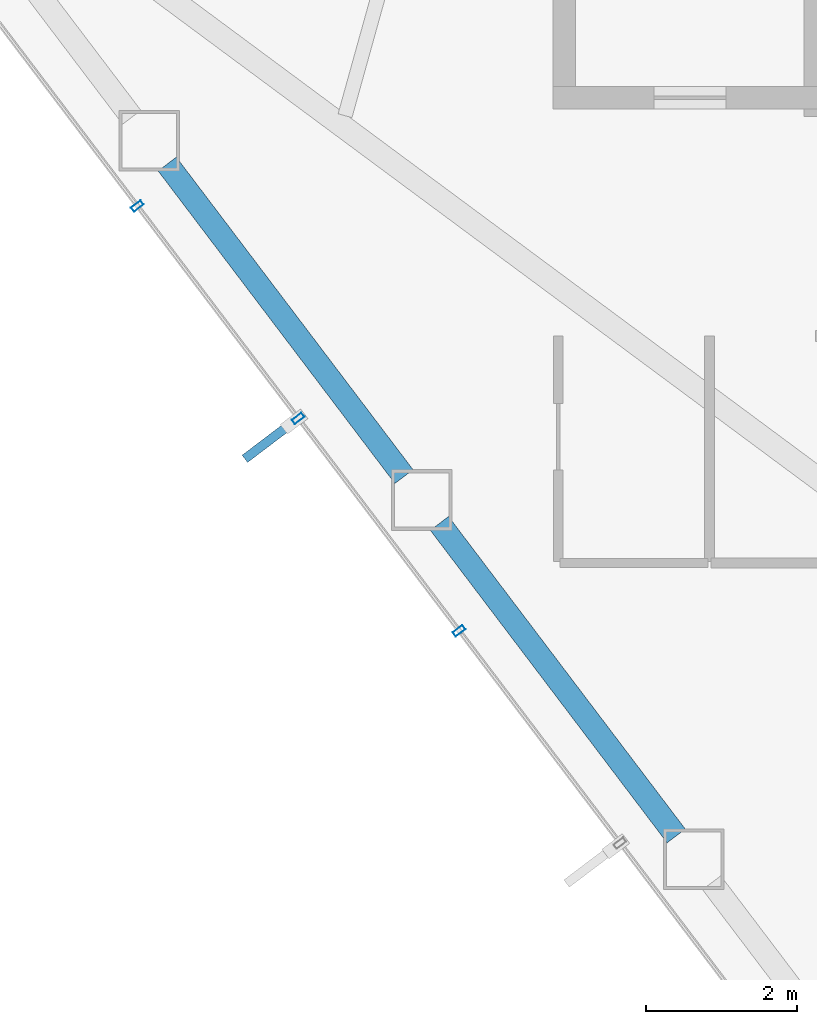
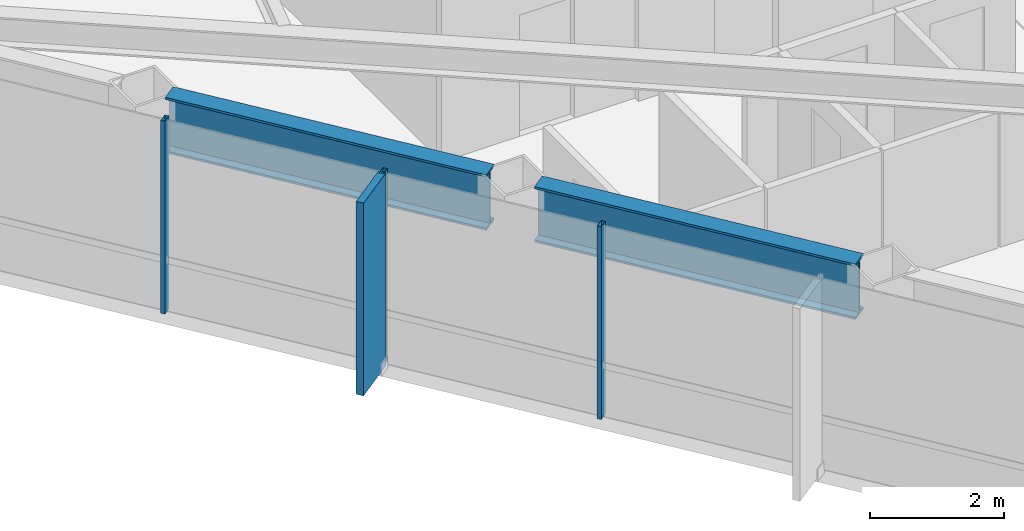
# One storey, part 4 of 28: 4 members, 2 beams, 1 element without a shape of its own.
"""IFC4 building model written with IfcOpenShell, lengths in metres."""

from ifc_helpers import new_model, si_unit, direction, frame, origin, origin_2d, place, context, subcontext, project, spatial, rectangle, hollow_rectangle, i_section, extrude, material, layer, layer_set, material_profile, profile_set, type_object, element, aggregate, save


model = new_model("IFC4")

# Units and contexts
model_context = context("Model", 3, precision=1e-05, world=origin(), true_north=direction((0.0, 1.0)))
body_context = subcontext(model_context, "Body", "Model", "MODEL_VIEW")
ifc_project = project(units=[si_unit("LENGTHUNIT", "METRE"), si_unit("AREAUNIT", "SQUARE_METRE"), si_unit("VOLUMEUNIT", "CUBIC_METRE"), si_unit("PLANEANGLEUNIT", "RADIAN"), si_unit("MASSUNIT", "GRAM", prefix="KILO")], contexts=[model_context])

# Site, building, storey
site_placement = place(None, origin())
site = spatial("IfcSite", under=ifc_project, at=site_placement, CompositionType="ELEMENT")
building_placement = place(site_placement, origin())
building = spatial("IfcBuilding", under=site, at=building_placement, Name="Zarrinselat Tower", CompositionType="ELEMENT")
storey_placement = place(building_placement, frame((0.0, 0.0, 149.60009765625)))
storey = spatial("IfcBuildingStorey", under=building, at=storey_placement, Name="L36", CompositionType="ELEMENT", Elevation=149.60009765625)

# Beams
ifc_material_1 = material(Name="Steel S460M", Category="steel")
ifc_material_profile_1 = material_profile(ifc_material_1, i_section(OverallWidth=0.302001953125, OverallDepth=1.008056640625, WebThickness=0.02099609375, FlangeThickness=0.0400390625, at=origin_2d()), Name="HEM 1000")
ifc_profile_set_1 = profile_set([ifc_material_profile_1], Name="Steel S460M")
beam_type = type_object("IfcBeamType", Name="BM-HEM1000", PredefinedType="BEAM", material=ifc_profile_set_1)
beam_1_placement = place(storey_placement, frame((19.98046875, 32.423583984375, 2.995849609375), z_axis=(0.60385134038, -0.797096956914, 0.0), x_axis=(0.797096956914, 0.60385134038, 0.0)))
element("IfcBeam", 1, at=beam_1_placement, inside=storey, type_object=beam_type, Name="L36 Perimeter Spandrel Girder SP07", PredefinedType="BEAM", context=body_context, shape_type="SweptSolid", body=[
    extrude(i_section(OverallWidth=0.302001953125, OverallDepth=1.008056640625, WebThickness=0.02099609375, FlangeThickness=0.0400390625, at=origin_2d()), origin(), (0.0, 0.0, 1.0), 5.18359375),
])
beam_2_placement = place(storey_placement, frame((23.5791015625, 27.673095703125, 2.995849609375), z_axis=(0.603881263847, -0.797074287112, 0.0), x_axis=(0.797074287112, 0.603881263847, 0.0)))
element("IfcBeam", 2, at=beam_2_placement, inside=storey, type_object=beam_type, Name="L36 Perimeter Spandrel Girder SP08", PredefinedType="BEAM", context=body_context, shape_type="SweptSolid", body=[
    extrude(i_section(OverallWidth=0.302001953125, OverallDepth=1.008056640625, WebThickness=0.02099609375, FlangeThickness=0.0400390625, at=origin_2d()), origin(), (0.0, 0.0, 1.0), 5.183837890625),
])

# Curtain wall, members
ifc_material_2 = material(Name="Extruded Aluminium Alloy EN AW-6063 T6", Category="aluminium")
ifc_layer = layer(ifc_material_2, 0.175048828125)
ifc_layer_set = layer_set([ifc_layer], Name="Extruded Aluminium Alloy EN AW-6063 T6")
curtain_wall_type = type_object("IfcCurtainWallType", Name="CWS-HTL", PredefinedType="NOTDEFINED", material=ifc_layer_set)
curtain_wall_placement = place(storey_placement, origin())
curtain_wall = element("IfcCurtainWall", 3, at=curtain_wall_placement, inside=storey, type_object=curtain_wall_type, Name="L36 Unitised Curtain Wall CW-L36-E03", PredefinedType="NOTDEFINED")
ifc_material_3 = material(Name="Extruded Aluminium Alloy EN AW-6063 T6", Category="aluminium")
ifc_material_profile_2 = material_profile(ifc_material_3, hollow_rectangle(XDim=0.070068359375, YDim=0.159912109375, WallThickness=0.00390625, at=origin_2d()), Name="RHS 160x70x4")
ifc_profile_set_2 = profile_set([ifc_material_profile_2], Name="Extruded Aluminium Alloy EN AW-6063 T6")
member_type_1 = type_object("IfcMemberType", Name="MEM-CW-MUL2", PredefinedType="MULLION", material=ifc_profile_set_2)
member_1_placement = place(storey_placement, frame((19.58544921875, 31.868408203125, 0.0), z_axis=(0.0, 0.0, 1.0), x_axis=(0.603856985167, -0.7970926806, 0.0)))
member_1 = element("IfcMember", 4, at=member_1_placement, type_object=member_type_1, Name="CW-L36-E03 Mullion 2", PredefinedType="MULLION", context=body_context, shape_type="SweptSolid", body=[
    extrude(hollow_rectangle(XDim=0.070068359375, YDim=0.159912109375, WallThickness=0.00390625, at=origin_2d()), origin(), (0.0, 0.0, 1.0), 3.5),
])
member_2_placement = place(storey_placement, frame((21.712158203125, 29.06103515625, 0.0), z_axis=(0.0, 0.0, 1.0), x_axis=(0.603856985167, -0.7970926806, 0.0)))
member_2 = element("IfcMember", 5, at=member_2_placement, type_object=member_type_1, Name="CW-L36-E03 Mullion 3", PredefinedType="MULLION", context=body_context, shape_type="SweptSolid", body=[
    extrude(hollow_rectangle(XDim=0.070068359375, YDim=0.159912109375, WallThickness=0.00390625, at=origin_2d()), origin(), (0.0, 0.0, 1.0), 3.5),
])
member_3_placement = place(storey_placement, frame((23.839111328125, 26.253662109375, 0.0), z_axis=(0.0, 0.0, 1.0), x_axis=(0.603856985167, -0.7970926806, 0.0)))
member_3 = element("IfcMember", 6, at=member_3_placement, type_object=member_type_1, Name="CW-L36-E03 Mullion 4", PredefinedType="MULLION", context=body_context, shape_type="SweptSolid", body=[
    extrude(hollow_rectangle(XDim=0.070068359375, YDim=0.159912109375, WallThickness=0.00390625, at=origin_2d()), origin(), (0.0, 0.0, 1.0), 3.5),
])
ifc_material_4 = material(Name="Honed Cream Travertine Stone", Category="masonry")
ifc_material_profile_3 = material_profile(ifc_material_4, rectangle(XDim=0.1201171875, YDim=0.85009765625, at=origin_2d()), Name="FIN 850x120")
ifc_profile_set_3 = profile_set([ifc_material_profile_3], Name="Honed Cream Travertine Stone")
member_type_2 = type_object("IfcMemberType", Name="MEM-STONE-FIN", PredefinedType="USERDEFINED", material=ifc_profile_set_3)
member_4_placement = place(storey_placement, frame((21.345458984375, 28.783203125, 0.0), z_axis=(0.0, 0.0, 1.0), x_axis=(-0.603856985167, 0.7970926806, 0.0)))
member_4 = element("IfcMember", 7, at=member_4_placement, type_object=member_type_2, Name="L36 Stone Shading Fin CW-L36-E03-03", ObjectType="FIN", PredefinedType="USERDEFINED", context=body_context, shape_type="SweptSolid", body=[
    extrude(rectangle(XDim=0.1201171875, YDim=0.85009765625, at=origin_2d()), origin(), (0.0, 0.0, 1.0), 3.5),
])
aggregate(curtain_wall, [member_1, member_2, member_4, member_3])

save(model, "model.ifc")
